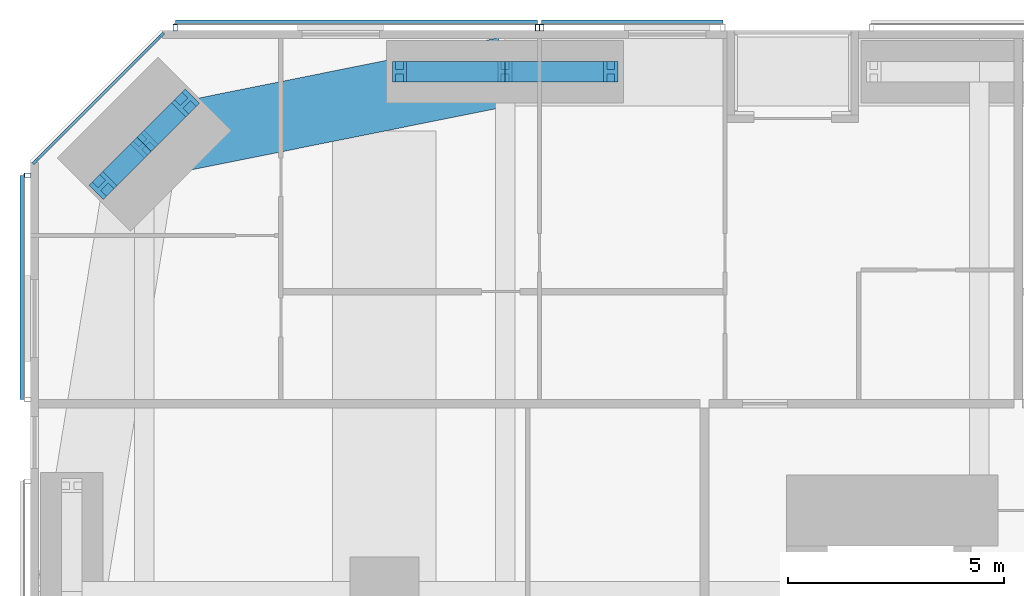
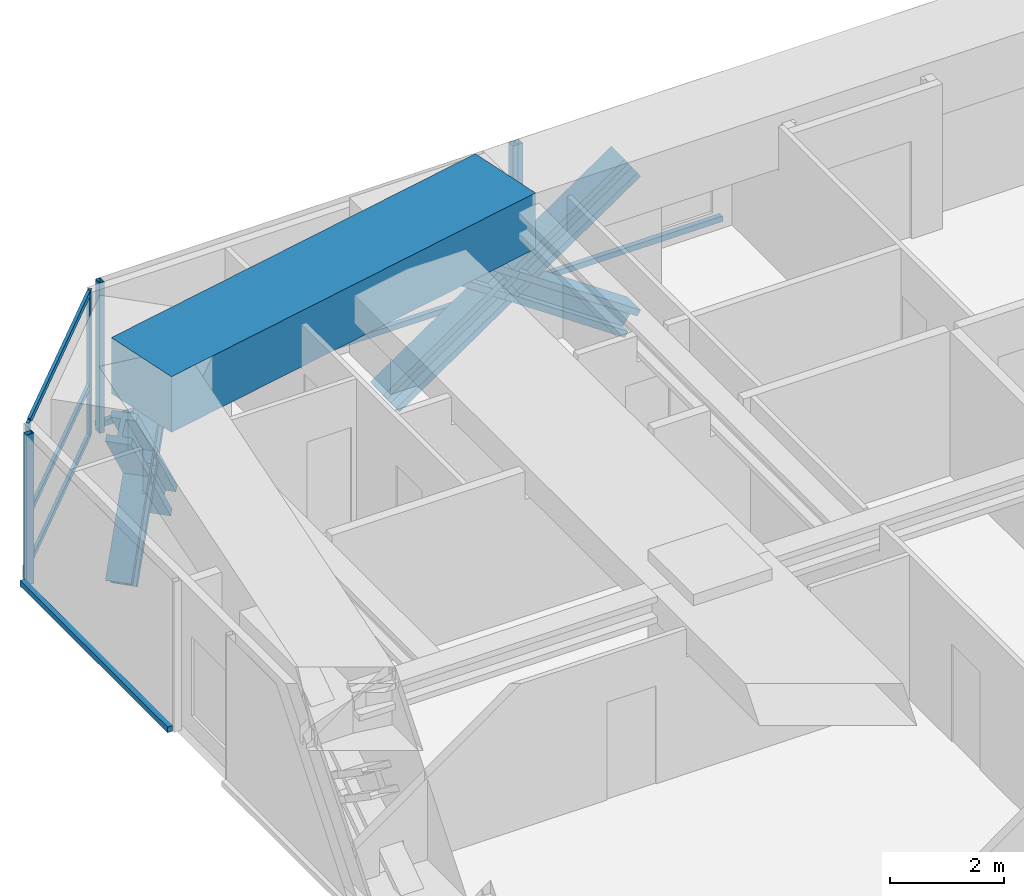
# One storey, part 10 of 22: 20 members, 1 beam, 4 elements without a shape of their own.
"""IFC4 building model written with IfcOpenShell, lengths in metres."""

from ifc_helpers import new_model, si_unit, direction, frame, origin, origin_2d, place, context, subcontext, project, spatial, rectangle, hollow_rectangle, i_section, extrude, material, material_profile, profile_set, type_object, element, aggregate, save


model = new_model("IFC4")

# Units and contexts
model_context = context("Model", 3, precision=1e-05, world=origin(), true_north=direction((0.0, 1.0)))
body_context = subcontext(model_context, "Body", "Model", "MODEL_VIEW")
ifc_project = project(units=[si_unit("LENGTHUNIT", "METRE"), si_unit("AREAUNIT", "SQUARE_METRE"), si_unit("VOLUMEUNIT", "CUBIC_METRE"), si_unit("PLANEANGLEUNIT", "RADIAN"), si_unit("MASSUNIT", "GRAM", prefix="KILO")], contexts=[model_context])

# Site, building, storey
site_placement = place(None, origin())
site = spatial("IfcSite", under=ifc_project, at=site_placement, CompositionType="ELEMENT")
building_placement = place(site_placement, origin())
building = spatial("IfcBuilding", under=site, at=building_placement, Name="Jalousie Tower", CompositionType="ELEMENT")
storey_placement = place(building_placement, frame((0.0, 0.0, 64.550048828125)))
storey = spatial("IfcBuildingStorey", under=building, at=storey_placement, Name="L17", CompositionType="ELEMENT", Elevation=64.550048828125)

# Curtain wall, members
ifc_material_1 = material(Name="Aluminium curtain wall", Category="aluminium")
curtain_wall_type_1 = type_object("IfcCurtainWallType", Name="CORNER WINDOW WALL", PredefinedType="USERDEFINED", material=ifc_material_1)
curtain_wall_1_placement = place(storey_placement, origin())
curtain_wall_1 = element("IfcCurtainWall", 1, at=curtain_wall_1_placement, inside=storey, type_object=curtain_wall_type_1, Name="Corner Window Wall L17 6", ObjectType="CORNER WINDOW WALL", PredefinedType="USERDEFINED")
ifc_material_2 = material(Name="Aluminium mullion", Category="aluminium")
ifc_material_profile_1 = material_profile(ifc_material_2, rectangle(XDim=0.06005859375, YDim=0.14990234375, at=origin_2d()), Name="MULLION 60x150")
ifc_profile_set_1 = profile_set([ifc_material_profile_1], Name="Aluminium mullion")
member_type_1 = type_object("IfcMemberType", Name="CORNER WINDOW WALL MULLION", PredefinedType="MULLION", material=ifc_profile_set_1)
member_1_placement = place(storey_placement, frame((5.030029296875, 37.891357421875, 0.0), z_axis=(0.0, 0.0, 1.0), x_axis=(0.707106781187, -0.707106781187, 0.0)))
member_1 = element("IfcMember", 2, at=member_1_placement, type_object=member_type_1, Name="CW-C mullion 1", PredefinedType="MULLION", context=body_context, shape_type="SweptSolid", body=[
    extrude(rectangle(XDim=0.06005859375, YDim=0.14990234375, at=origin_2d()), origin(), (0.0, 0.0, 1.0), 3.10986328125),
])
member_2_placement = place(storey_placement, frame((2.108642578125, 34.969970703125, 0.0), z_axis=(0.0, 0.0, 1.0), x_axis=(0.707106781187, -0.707106781187, 0.0)))
member_2 = element("IfcMember", 3, at=member_2_placement, type_object=member_type_1, Name="CW-C mullion 2", PredefinedType="MULLION", context=body_context, shape_type="SweptSolid", body=[
    extrude(rectangle(XDim=0.06005859375, YDim=0.14990234375, at=origin_2d()), origin(), (0.0, 0.0, 1.0), 3.10986328125),
])
ifc_material_3 = material(Name="Aluminium transom", Category="aluminium")
ifc_material_profile_2 = material_profile(ifc_material_3, rectangle(XDim=0.06005859375, YDim=0.1201171875, at=origin_2d()), Name="TRANSOM 60x120")
ifc_profile_set_2 = profile_set([ifc_material_profile_2], Name="Aluminium transom")
member_type_2 = type_object("IfcMemberType", Name="CORNER WINDOW WALL TRANSOM", PredefinedType="USERDEFINED", material=ifc_profile_set_2)
member_3_placement = place(storey_placement, frame((5.0087890625, 37.8701171875, 0.030029296875), z_axis=(-0.707106781187, -0.707106781187, 0.0), x_axis=(0.707106781187, -0.707106781187, 0.0)))
member_3 = element("IfcMember", 4, at=member_3_placement, type_object=member_type_2, Name="CW-C transom 1.1", ObjectType="TRANSOM", PredefinedType="USERDEFINED", context=body_context, shape_type="SweptSolid", body=[
    extrude(rectangle(XDim=0.06005859375, YDim=0.1201171875, at=origin_2d()), origin(), (0.0, 0.0, 1.0), 4.0712890625),
])
member_4_placement = place(storey_placement, frame((5.0087890625, 37.8701171875, 1.099853515625), z_axis=(-0.707106781187, -0.707106781187, 0.0), x_axis=(0.707106781187, -0.707106781187, 0.0)))
member_4 = element("IfcMember", 5, at=member_4_placement, type_object=member_type_2, Name="CW-C transom 1.2", ObjectType="TRANSOM", PredefinedType="USERDEFINED", context=body_context, shape_type="SweptSolid", body=[
    extrude(rectangle(XDim=0.06005859375, YDim=0.1201171875, at=origin_2d()), origin(), (0.0, 0.0, 1.0), 4.0712890625),
])
member_5_placement = place(storey_placement, frame((5.0087890625, 37.8701171875, 3.079833984375), z_axis=(-0.707106781187, -0.707106781187, 0.0), x_axis=(0.707106781187, -0.707106781187, 0.0)))
member_5 = element("IfcMember", 6, at=member_5_placement, type_object=member_type_2, Name="CW-C transom 1.3", ObjectType="TRANSOM", PredefinedType="USERDEFINED", context=body_context, shape_type="SweptSolid", body=[
    extrude(rectangle(XDim=0.06005859375, YDim=0.1201171875, at=origin_2d()), origin(), (0.0, 0.0, 1.0), 4.0712890625),
])
aggregate(curtain_wall_1, [member_1, member_2, member_3, member_4, member_5])

# Members
ifc_material_4 = material(Name="Steel ASTM A992 Grade 50", Category="steel")
ifc_material_profile_3 = material_profile(ifc_material_4, i_section(OverallWidth=0.472412109375, OverallDepth=0.5791015625, WebThickness=0.094970703125, FlangeThickness=0.1298828125, at=origin_2d()), Name="W14X808")
ifc_profile_set_3 = profile_set([ifc_material_profile_3], Name="Steel ASTM A992 Grade 50")
member_type_3 = type_object("IfcMemberType", Name="PERIMETER BRACE W14X808", PredefinedType="BRACE", material=ifc_profile_set_3)
for number, where, z_axis, x_axis, name in (
    (7, (10.550048828125, 37.050048828125, -0.60009765625), (0.825500916831, 0.0, 0.564400776321), (0.0, 1.0, 0.0), "Perimeter brace 11 L17 part 1"),
    (8, (13.0, 37.050048828125, 1.074951171875), (0.825500916831, 0.0, 0.564400776321), (0.0, 1.0, 0.0), "Perimeter brace 11 L17 part 2"),
    (9, (15.449951171875, 37.050048828125, -0.60009765625), (-0.825500916831, 0.0, 0.564400776321), (0.0, -1.0, 0.0), "Perimeter brace 11 L17 part 3"),
    (10, (13.0, 37.050048828125, 1.074951171875), (-0.825500916831, 0.0, 0.564400776321), (0.0, -1.0, 0.0), "Perimeter brace 11 L17 part 4"),
):
    element("IfcMember", number, at=place(storey_placement, frame(where, z_axis=z_axis, x_axis=x_axis)), inside=storey, type_object=member_type_3, Name=name, PredefinedType="BRACE", context=body_context, shape_type="SweptSolid", body=[
        extrude(i_section(OverallWidth=0.472412109375, OverallDepth=0.5791015625, WebThickness=0.094970703125, FlangeThickness=0.1298828125, at=origin_2d()), origin(), (0.0, 0.0, 1.0), 2.9677734375),
    ])
for number, where, z_axis, x_axis, name in (
    (11, (5.5859375, 36.3232421875, -0.60009765625), (-0.443718327034, -0.443718327034, 0.778606506849), (0.707106781187, -0.707106781187, 0.0), "Perimeter brace 12 L17 part 1"),
    (12, (4.63134765625, 35.36865234375, 1.074951171875), (-0.443718327034, -0.443718327034, 0.778606506849), (0.707106781187, -0.707106781187, 0.0), "Perimeter brace 12 L17 part 2"),
    (13, (3.6767578125, 34.4140625, -0.60009765625), (0.443718327034, 0.443718327034, 0.778606506849), (-0.707106781187, 0.707106781187, 0.0), "Perimeter brace 12 L17 part 3"),
    (14, (4.63134765625, 35.36865234375, 1.074951171875), (0.443718327034, 0.443718327034, 0.778606506849), (-0.707106781187, 0.707106781187, 0.0), "Perimeter brace 12 L17 part 4"),
):
    element("IfcMember", number, at=place(storey_placement, frame(where, z_axis=z_axis, x_axis=x_axis)), inside=storey, type_object=member_type_3, Name=name, PredefinedType="BRACE", context=body_context, shape_type="SweptSolid", body=[
        extrude(i_section(OverallWidth=0.472412109375, OverallDepth=0.5791015625, WebThickness=0.094970703125, FlangeThickness=0.1298828125, at=origin_2d()), origin(), (0.0, 0.0, 1.0), 2.1513671875),
    ])

# Beam
ifc_material_5 = material(Name="Concrete f'c 40 MPa", Category="concrete")
ifc_material_profile_4 = material_profile(ifc_material_5, rectangle(XDim=1.60009765625, YDim=1.199951171875, at=origin_2d()), Name="RC 1600x1200")
ifc_profile_set_4 = profile_set([ifc_material_profile_4], Name="Concrete f'c 40 MPa")
beam_type = type_object("IfcBeamType", Name="RC BEAM 1600x1200", PredefinedType="BEAM", material=ifc_profile_set_4)
beam_placement = place(storey_placement, frame((13.0, 37.050048828125, 2.75), z_axis=(-0.980407585444, -0.196979609107, 0.0), x_axis=(0.196979609107, -0.980407585444, 0.0)))
element("IfcBeam", 15, at=beam_placement, inside=storey, type_object=beam_type, Name="Edge band beam 11-12 under L18", PredefinedType="BEAM", context=body_context, shape_type="SweptSolid", body=[
    extrude(rectangle(XDim=1.60009765625, YDim=1.199951171875, at=origin_2d()), origin(), (0.0, 0.0, 1.0), 8.535888671875),
])

# Curtain wall, member
ifc_material_6 = material(Name="Perforated aluminium sheet", Category="aluminium")
curtain_wall_type_2 = type_object("IfcCurtainWallType", Name="SOLAR SCREEN SS-1", PredefinedType="USERDEFINED", material=ifc_material_6)
curtain_wall_2_placement = place(storey_placement, origin())
curtain_wall_2 = element("IfcCurtainWall", 16, at=curtain_wall_2_placement, inside=storey, type_object=curtain_wall_type_2, Name="Solar screen L17", ObjectType="SOLAR SCREEN SS-1", PredefinedType="USERDEFINED")
ifc_material_7 = material(Name="Steel ASTM A500 Grade C", Category="steel")
ifc_material_profile_5 = material_profile(ifc_material_7, hollow_rectangle(XDim=0.1015625, YDim=0.15234375, WallThickness=0.00634765625, at=origin_2d()), Name="HSS6X4X1/4")
ifc_profile_set_5 = profile_set([ifc_material_profile_5], Name="Steel ASTM A500 Grade C")
member_type_4 = type_object("IfcMemberType", Name="SOLAR SCREEN SS-1 MULLION", PredefinedType="MULLION", material=ifc_profile_set_5)
member_6_placement = place(storey_placement, frame((13.85009765625, 38.0712890625, -0.1201171875), z_axis=(0.0, 0.0, 1.0), x_axis=(-1.0, 0.0, 0.0)))
member_6 = element("IfcMember", 17, at=member_6_placement, type_object=member_type_4, Name="SS1 post 2", PredefinedType="MULLION", context=body_context, shape_type="SweptSolid", body=[
    extrude(hollow_rectangle(XDim=0.1015625, YDim=0.15234375, WallThickness=0.00634765625, at=origin_2d()), origin(), (0.0, 0.0, 1.0), 3.22998046875),
])

# Curtain wall, members
curtain_wall_3_placement = place(storey_placement, origin())
curtain_wall_3 = element("IfcCurtainWall", 18, at=curtain_wall_3_placement, inside=storey, type_object=curtain_wall_type_2, Name="Solar screen L17", ObjectType="SOLAR SCREEN SS-1", PredefinedType="USERDEFINED")
member_7_placement = place(storey_placement, frame((13.75, 38.0712890625, -0.1201171875), z_axis=(0.0, 0.0, 1.0), x_axis=(-1.0, 0.0, 0.0)))
member_7 = element("IfcMember", 19, at=member_7_placement, type_object=member_type_4, Name="SS1 post 1", PredefinedType="MULLION", context=body_context, shape_type="SweptSolid", body=[
    extrude(hollow_rectangle(XDim=0.1015625, YDim=0.15234375, WallThickness=0.00634765625, at=origin_2d()), origin(), (0.0, 0.0, 1.0), 3.22998046875),
])
member_8_placement = place(storey_placement, frame((5.351318359375, 38.0712890625, -0.1201171875), z_axis=(0.0, 0.0, 1.0), x_axis=(-1.0, 0.0, 0.0)))
member_8 = element("IfcMember", 20, at=member_8_placement, type_object=member_type_4, Name="SS1 post 2", PredefinedType="MULLION", context=body_context, shape_type="SweptSolid", body=[
    extrude(hollow_rectangle(XDim=0.1015625, YDim=0.15234375, WallThickness=0.00634765625, at=origin_2d()), origin(), (0.0, 0.0, 1.0), 3.22998046875),
])

# Curtain wall, member
curtain_wall_4_placement = place(storey_placement, origin())
curtain_wall_4 = element("IfcCurtainWall", 21, at=curtain_wall_4_placement, inside=storey, type_object=curtain_wall_type_2, Name="Solar screen L17", ObjectType="SOLAR SCREEN SS-1", PredefinedType="USERDEFINED")
member_9_placement = place(storey_placement, frame((1.9287109375, 34.648681640625, -0.1201171875), z_axis=(0.0, 0.0, 1.0), x_axis=(0.0, -1.0, 0.0)))
member_9 = element("IfcMember", 22, at=member_9_placement, type_object=member_type_4, Name="SS1 post 1", PredefinedType="MULLION", context=body_context, shape_type="SweptSolid", body=[
    extrude(hollow_rectangle(XDim=0.1015625, YDim=0.15234375, WallThickness=0.00634765625, at=origin_2d()), origin(), (0.0, 0.0, 1.0), 3.22998046875),
])

# Member
ifc_material_8 = material(Name="Extruded aluminium screen rail", Category="aluminium")
ifc_material_profile_6 = material_profile(ifc_material_8, rectangle(XDim=0.1015625, YDim=0.1201171875, at=origin_2d()), Name="RAIL 102x120")
ifc_profile_set_6 = profile_set([ifc_material_profile_6], Name="Extruded aluminium screen rail")
member_type_5 = type_object("IfcMemberType", Name="SOLAR SCREEN SS-1 TRANSOM", PredefinedType="USERDEFINED", material=ifc_profile_set_6)
member_10_placement = place(storey_placement, frame((18.050048828125, 38.1982421875, -0.06005859375), z_axis=(-1.0, 0.0, 0.0), x_axis=(0.0, -1.0, 0.0)))
member_10 = element("IfcMember", 23, at=member_10_placement, type_object=member_type_5, Name="SS1 rail", ObjectType="TRANSOM", PredefinedType="USERDEFINED", context=body_context, shape_type="SweptSolid", body=[
    extrude(rectangle(XDim=0.1015625, YDim=0.1201171875, at=origin_2d()), origin(), (0.0, 0.0, 1.0), 4.199951171875),
])

aggregate(curtain_wall_2, [member_6, member_10])

member_11_placement = place(storey_placement, frame((13.75, 38.1982421875, -0.06005859375), z_axis=(-1.0, 0.0, 0.0), x_axis=(0.0, -1.0, 0.0)))
member_11 = element("IfcMember", 24, at=member_11_placement, type_object=member_type_5, Name="SS1 rail", ObjectType="TRANSOM", PredefinedType="USERDEFINED", context=body_context, shape_type="SweptSolid", body=[
    extrude(rectangle(XDim=0.1015625, YDim=0.1201171875, at=origin_2d()), origin(), (0.0, 0.0, 1.0), 8.398681640625),
])

aggregate(curtain_wall_3, [member_7, member_8, member_11])

member_12_placement = place(storey_placement, frame((1.8017578125, 34.648681640625, -0.06005859375), z_axis=(0.0, -1.0, 0.0), x_axis=(1.0, 0.0, 0.0)))
member_12 = element("IfcMember", 25, at=member_12_placement, type_object=member_type_5, Name="SS1 rail", ObjectType="TRANSOM", PredefinedType="USERDEFINED", context=body_context, shape_type="SweptSolid", body=[
    extrude(rectangle(XDim=0.1015625, YDim=0.1201171875, at=origin_2d()), origin(), (0.0, 0.0, 1.0), 5.19873046875),
])

aggregate(curtain_wall_4, [member_9, member_12])

save(model, "model.ifc")
